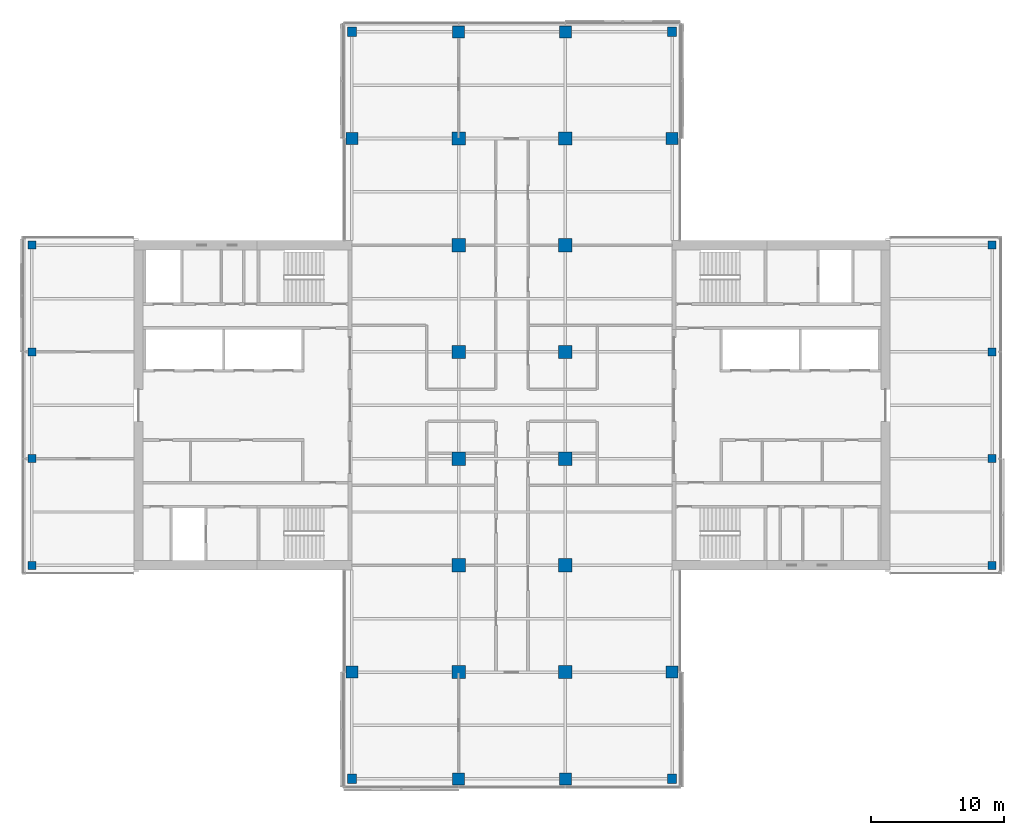
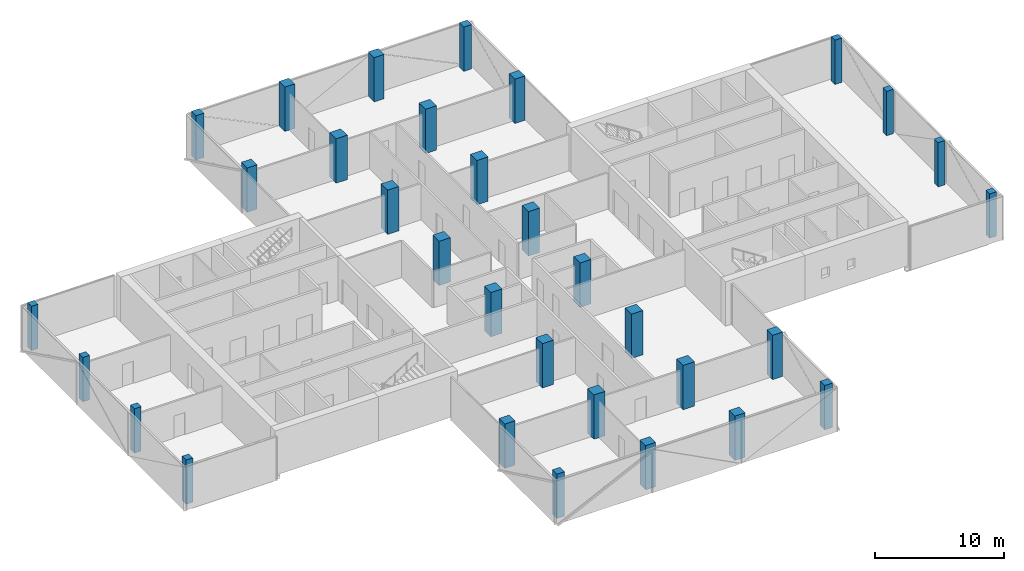
# One storey, part 1 of 22: 32 columns.
"""IFC4 building model written with IfcOpenShell, lengths in metres."""

from ifc_helpers import new_model, si_unit, direction, frame, origin, origin_2d, place, context, subcontext, project, spatial, rectangle, extrude, material, material_profile, profile_set, type_object, element, save


model = new_model("IFC4")

# Units and contexts
model_context = context("Model", 3, precision=1e-05, world=origin(), true_north=direction((0.0, 1.0)))
body_context = subcontext(model_context, "Body", "Model", "MODEL_VIEW")
ifc_project = project(units=[si_unit("LENGTHUNIT", "METRE"), si_unit("AREAUNIT", "SQUARE_METRE"), si_unit("VOLUMEUNIT", "CUBIC_METRE"), si_unit("PLANEANGLEUNIT", "RADIAN"), si_unit("MASSUNIT", "GRAM", prefix="KILO")], contexts=[model_context])

# Site, building, storey
site_placement = place(None, origin())
site = spatial("IfcSite", under=ifc_project, at=site_placement, CompositionType="ELEMENT")
building_placement = place(site_placement, origin())
building = spatial("IfcBuilding", under=site, at=building_placement, Name="Crosswind Convention Tower", CompositionType="ELEMENT")
storey_placement = place(building_placement, frame((0.0, 0.0, 158.89990234375)))
storey = spatial("IfcBuildingStorey", under=building, at=storey_placement, Name="L33", CompositionType="ELEMENT", Elevation=158.89990234375)

# Columns
ifc_material_1 = material(Name="Concrete C70/85", Category="concrete")
ifc_material_profile_1 = material_profile(ifc_material_1, rectangle(XDim=1.0, YDim=1.0, at=origin_2d()), Name="RC 1000X1000")
ifc_profile_set_1 = profile_set([ifc_material_profile_1], Name="Concrete C70/85")
column_type_1 = type_object("IfcColumnType", Name="Column RC 1000X1000", PredefinedType="COLUMN", material=ifc_profile_set_1)
for number, where, z_axis, x_axis, name in (
    (1, (121.0, 80.0, 0.0), (0.0, 0.0, 1.0), (1.0, 0.0, 0.0), "C12 L33 6/D"),
    (2, (121.0, 88.0, 0.0), (0.0, 0.0, 1.0), (1.0, 0.0, 0.0), "C12 L33 6/E"),
    (3, (121.0, 96.0, 0.0), (0.0, 0.0, 1.0), (1.0, 0.0, 0.0), "C12 L33 6/F"),
    (4, (121.0, 104.0, 0.0), (0.0, 0.0, 1.0), (1.0, 0.0, 0.0), "C12 L33 6/G"),
    (5, (121.0, 112.0, 0.0), (0.0, 0.0, 1.0), (1.0, 0.0, 0.0), "C12 L33 6/H"),
    (6, (121.0, 120.0, 0.0), (0.0, 0.0, 1.0), (1.0, 0.0, 0.0), "C12 L33 6/I"),
    (7, (129.0, 80.0, 0.0), (0.0, 0.0, 1.0), (1.0, 0.0, 0.0), "C12 L33 7/D"),
    (8, (129.0, 88.0, 0.0), (0.0, 0.0, 1.0), (1.0, 0.0, 0.0), "C12 L33 7/E"),
    (9, (129.0, 96.0, 0.0), (0.0, 0.0, 1.0), (1.0, 0.0, 0.0), "C12 L33 7/F"),
    (10, (129.0, 104.0, 0.0), (0.0, 0.0, 1.0), (1.0, 0.0, 0.0), "C12 L33 7/G"),
    (11, (129.0, 112.0, 0.0), (0.0, 0.0, 1.0), (1.0, 0.0, 0.0), "C12 L33 7/H"),
    (12, (129.0, 120.0, 0.0), (0.0, 0.0, 1.0), (1.0, 0.0, 0.0), "C12 L33 7/I"),
):
    element("IfcColumn", number, at=place(storey_placement, frame(where, z_axis=z_axis, x_axis=x_axis)), inside=storey, type_object=column_type_1, Name=name, PredefinedType="COLUMN", context=body_context, shape_type="SweptSolid", body=[
        extrude(rectangle(XDim=1.0, YDim=1.0, at=origin_2d()), origin(), (0.0, 0.0, 1.0), 4.2001953125),
    ])
ifc_material_2 = material(Name="Concrete C60/75", Category="concrete")
ifc_material_profile_2 = material_profile(ifc_material_2, rectangle(XDim=0.60009765625, YDim=0.60009765625, at=origin_2d()), Name="RC 600X600")
ifc_profile_set_2 = profile_set([ifc_material_profile_2], Name="Concrete C60/75")
column_type_2 = type_object("IfcColumnType", Name="Column RC 600X600", PredefinedType="COLUMN", material=ifc_profile_set_2)
for number, where, z_axis, x_axis, name in (
    (13, (89.0, 88.0, 0.0), (0.0, 0.0, 1.0), (1.0, 0.0, 0.0), "C16 L33 2/E"),
    (14, (89.0, 96.0, 0.0), (0.0, 0.0, 1.0), (1.0, 0.0, 0.0), "C16 L33 2/F"),
    (15, (89.0, 104.0, 0.0), (0.0, 0.0, 1.0), (1.0, 0.0, 0.0), "C16 L33 2/G"),
    (16, (89.0, 112.0, 0.0), (0.0, 0.0, 1.0), (1.0, 0.0, 0.0), "C16 L33 2/H"),
    (17, (161.0, 88.0, 0.0), (0.0, 0.0, 1.0), (1.0, 0.0, 0.0), "C16 L33 11/E"),
    (18, (161.0, 96.0, 0.0), (0.0, 0.0, 1.0), (1.0, 0.0, 0.0), "C16 L33 11/F"),
    (19, (161.0, 104.0, 0.0), (0.0, 0.0, 1.0), (1.0, 0.0, 0.0), "C16 L33 11/G"),
    (20, (161.0, 112.0, 0.0), (0.0, 0.0, 1.0), (1.0, 0.0, 0.0), "C16 L33 11/H"),
):
    element("IfcColumn", number, at=place(storey_placement, frame(where, z_axis=z_axis, x_axis=x_axis)), inside=storey, type_object=column_type_2, Name=name, PredefinedType="COLUMN", context=body_context, shape_type="SweptSolid", body=[
        extrude(rectangle(XDim=0.60009765625, YDim=0.60009765625, at=origin_2d()), origin(), (0.0, 0.0, 1.0), 4.2001953125),
    ])
ifc_material_profile_3 = material_profile(ifc_material_2, rectangle(XDim=0.699951171875, YDim=0.699951171875, at=origin_2d()), Name="RC 700X700")
ifc_profile_set_3 = profile_set([ifc_material_profile_3], Name="Concrete C60/75")
column_type_3 = type_object("IfcColumnType", Name="Column RC 700X700", PredefinedType="COLUMN", material=ifc_profile_set_3)
for number, where, z_axis, x_axis, name in (
    (21, (113.0, 72.0, 0.0), (0.0, 0.0, 1.0), (1.0, 0.0, 0.0), "C15 L33 5/C"),
    (22, (113.0, 128.0, 0.0), (0.0, 0.0, 1.0), (1.0, 0.0, 0.0), "C15 L33 5/J"),
    (23, (137.0, 72.0, 0.0), (0.0, 0.0, 1.0), (1.0, 0.0, 0.0), "C15 L33 8/C"),
    (24, (137.0, 128.0, 0.0), (0.0, 0.0, 1.0), (1.0, 0.0, 0.0), "C15 L33 8/J"),
):
    element("IfcColumn", number, at=place(storey_placement, frame(where, z_axis=z_axis, x_axis=x_axis)), inside=storey, type_object=column_type_3, Name=name, PredefinedType="COLUMN", context=body_context, shape_type="SweptSolid", body=[
        extrude(rectangle(XDim=0.699951171875, YDim=0.699951171875, at=origin_2d()), origin(), (0.0, 0.0, 1.0), 4.2001953125),
    ])
ifc_material_profile_4 = material_profile(ifc_material_2, rectangle(XDim=0.89990234375, YDim=0.89990234375, at=origin_2d()), Name="RC 900X900")
ifc_profile_set_4 = profile_set([ifc_material_profile_4], Name="Concrete C60/75")
column_type_4 = type_object("IfcColumnType", Name="Column RC 900X900", PredefinedType="COLUMN", material=ifc_profile_set_4)
for number, where, z_axis, x_axis, name in (
    (25, (113.0, 80.0, 0.0), (0.0, 0.0, 1.0), (1.0, 0.0, 0.0), "C13 L33 5/D"),
    (26, (113.0, 120.0, 0.0), (0.0, 0.0, 1.0), (1.0, 0.0, 0.0), "C13 L33 5/I"),
    (27, (121.0, 72.0, 0.0), (0.0, 0.0, 1.0), (1.0, 0.0, 0.0), "C13 L33 6/C"),
    (28, (121.0, 128.0, 0.0), (0.0, 0.0, 1.0), (1.0, 0.0, 0.0), "C13 L33 6/J"),
    (29, (129.0, 72.0, 0.0), (0.0, 0.0, 1.0), (1.0, 0.0, 0.0), "C13 L33 7/C"),
    (30, (129.0, 128.0, 0.0), (0.0, 0.0, 1.0), (1.0, 0.0, 0.0), "C13 L33 7/J"),
    (31, (137.0, 80.0, 0.0), (0.0, 0.0, 1.0), (1.0, 0.0, 0.0), "C13 L33 8/D"),
    (32, (137.0, 120.0, 0.0), (0.0, 0.0, 1.0), (1.0, 0.0, 0.0), "C13 L33 8/I"),
):
    element("IfcColumn", number, at=place(storey_placement, frame(where, z_axis=z_axis, x_axis=x_axis)), inside=storey, type_object=column_type_4, Name=name, PredefinedType="COLUMN", context=body_context, shape_type="SweptSolid", body=[
        extrude(rectangle(XDim=0.89990234375, YDim=0.89990234375, at=origin_2d()), origin(), (0.0, 0.0, 1.0), 4.2001953125),
    ])

save(model, "model.ifc")
